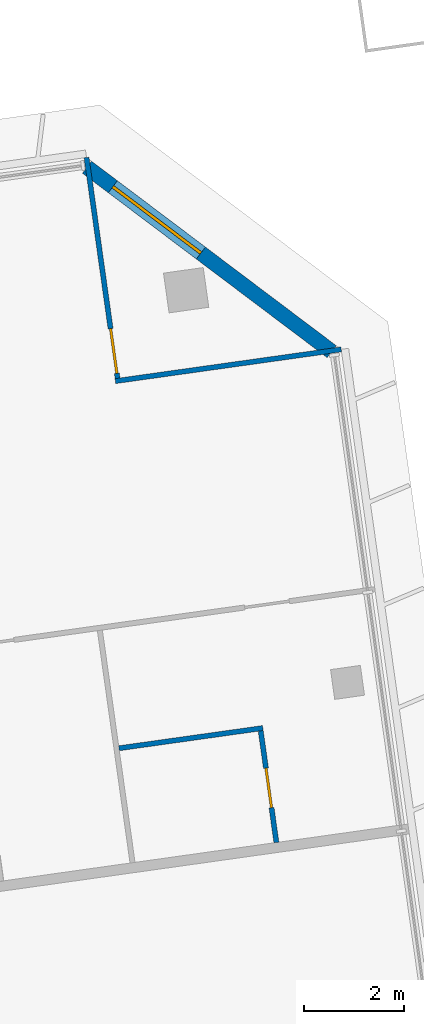
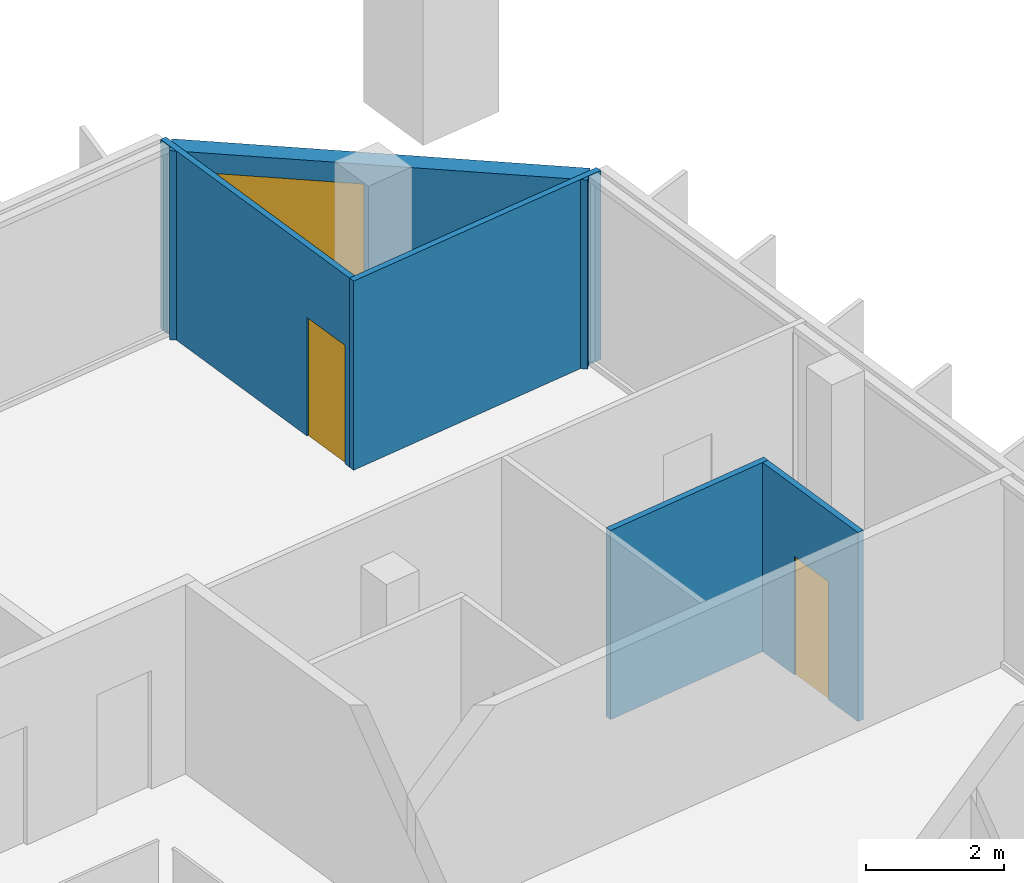
# One storey, part 23 of 26: 5 walls, 2 doors, 1 window, 3 openings.
"""IFC4 building model written with IfcOpenShell, lengths in metres."""

from ifc_helpers import new_model, si_unit, direction, frame, frame_2d, origin, place, context, subcontext, project, spatial, rectangle, extrude, material, layer, layer_set, type_object, element, fill, save


model = new_model("IFC4")

# Units and contexts
model_context = context("Model", 3, precision=1e-05, world=origin(), true_north=direction((0.0, 1.0)))
body_context = subcontext(model_context, "Body", "Model", "MODEL_VIEW")
ifc_project = project(units=[si_unit("LENGTHUNIT", "METRE"), si_unit("AREAUNIT", "SQUARE_METRE"), si_unit("VOLUMEUNIT", "CUBIC_METRE"), si_unit("PLANEANGLEUNIT", "RADIAN"), si_unit("MASSUNIT", "GRAM", prefix="KILO")], contexts=[model_context])

# Site, building, storey
site_placement = place(None, origin())
site = spatial("IfcSite", under=ifc_project, at=site_placement, CompositionType="ELEMENT")
building_placement = place(site_placement, origin())
building = spatial("IfcBuilding", under=site, at=building_placement, Name="Mirante Cascada Hotel Towers", CompositionType="ELEMENT")
storey_placement = place(building_placement, frame((0.0, 0.0, 168.8)))
storey = spatial("IfcBuildingStorey", under=building, at=storey_placement, Name="L39", CompositionType="ELEMENT", Elevation=168.8)

# Walls
ifc_material_1 = material(Name="Plasterboard on metal studs")
ifc_layer_1 = layer(ifc_material_1, 0.1)
ifc_layer_set_1 = layer_set([ifc_layer_1], Name="Partition 100")
wall_type_1 = type_object("IfcWallType", Name="Partition 100", PredefinedType="PARTITIONING", material=ifc_layer_set_1)
wall_1_placement = place(storey_placement, frame((88.8055, 13.569, 0.0), z_axis=(0.0, 0.0, 1.0), x_axis=(-0.9902683, -0.1391714, 0.0)))
element("IfcWall", 1, at=wall_1_placement, inside=storey, type_object=wall_type_1, Name="Wall 2-L39-13", PredefinedType="PARTITIONING", context=body_context, shape_type="SweptSolid", body=[
    extrude(rectangle(XDim=2.9, YDim=0.1, at=frame_2d((1.45, 0.0))), origin(), (0.0, 0.0, 1.0), 3.35),
])
wall_2_placement = place(storey_placement, frame((90.3689, 21.1268, 0.0), z_axis=(0.0, 0.0, 1.0), x_axis=(-0.9902691, -0.1391656, 0.0)))
element("IfcWall", 2, at=wall_2_placement, inside=storey, type_object=wall_type_1, Name="Wall 2-L39-23", PredefinedType="PARTITIONING", context=body_context, shape_type="SweptSolid", body=[
    extrude(rectangle(XDim=4.55, YDim=0.1, at=frame_2d((2.275, 0.0))), origin(), (0.0, 0.0, 1.0), 3.35),
])

# Wall, opening, door
wall_3_placement = place(storey_placement, frame((85.2864, 24.9567, 0.0), z_axis=(0.0, 0.0, 1.0), x_axis=(0.1391684, -0.9902687, 0.0)))
wall_3 = element("IfcWall", 3, at=wall_3_placement, inside=storey, type_object=wall_type_1, Name="Wall 2-L39-49", PredefinedType="PARTITIONING", context=body_context, shape_type="SweptSolid", body=[
    extrude(rectangle(XDim=4.45, YDim=0.1, at=frame_2d((2.225, 0.0))), origin(), (0.0, 0.0, 1.0), 3.35),
])
opening_1_placement = place(wall_3_placement, frame((3.45, 0.0, 0.0)))
opening_1 = element("IfcOpeningElement", 4, at=opening_1_placement, cuts=wall_3, Name="Opening D2-L39-33", PredefinedType="OPENING", context=body_context, shape_type="SweptSolid", body=[
    extrude(rectangle(XDim=0.9, YDim=2.1, at=frame_2d((0.45, 1.05))), frame((0.0, 0.05, 0.0), z_axis=(0.0, -1.0, 0.0), x_axis=(1.0, 0.0, 0.0)), (0.0, 0.0, 1.0), 0.1),
])
ifc_material_2 = material(Name="Timber door leaf", Category="wood")
door_type_1 = type_object("IfcDoorType", Name="Room door DG3 900x2100", OperationType="SINGLE_SWING_LEFT", PredefinedType="DOOR", material=ifc_material_2)
door_1_placement = place(opening_1_placement, frame((0.9, 0.0, 0.0), z_axis=(0.0, 0.0, 1.0), x_axis=(-1.0, 0.0, 0.0)))
door_1 = element("IfcDoor", 5, at=door_1_placement, inside=storey, type_object=door_type_1, Name="Door D2-L39-33", OperationType="SINGLE_SWING_RIGHT", OverallHeight=2.1, OverallWidth=0.9, PredefinedType="DOOR", context=body_context, shape_type="SweptSolid", body=[
    extrude(rectangle(XDim=0.9, YDim=2.1, at=frame_2d((0.45, 1.05))), frame((0.0, 0.025, 0.0), z_axis=(0.0, -1.0, 0.0), x_axis=(1.0, 0.0, 0.0)), (0.0, 0.0, 1.0), 0.05),
])
fill(opening_1, door_1)

wall_4_placement = place(storey_placement, frame((89.0761, 11.2844, 0.0), z_axis=(0.0, 0.0, 1.0), x_axis=(-0.1391561, 0.9902705, 0.0)))
wall_4 = element("IfcWall", 6, at=wall_4_placement, inside=storey, type_object=wall_type_1, Name="Wall 2-L39-50", PredefinedType="PARTITIONING", context=body_context, shape_type="SweptSolid", body=[
    extrude(rectangle(XDim=2.25, YDim=0.1, at=frame_2d((1.125, 0.0))), origin(), (0.0, 0.0, 1.0), 3.35),
])
opening_2_placement = place(wall_4_placement, frame((0.7, 0.0, 0.0)))
opening_2 = element("IfcOpeningElement", 7, at=opening_2_placement, cuts=wall_4, Name="Opening D2-L39-34", PredefinedType="OPENING", context=body_context, shape_type="SweptSolid", body=[
    extrude(rectangle(XDim=0.8, YDim=2.1, at=frame_2d((0.4, 1.05))), frame((0.0, 0.05, 0.0), z_axis=(0.0, -1.0, 0.0), x_axis=(1.0, 0.0, 0.0)), (0.0, 0.0, 1.0), 0.1),
])
ifc_material_3 = material(Name="Timber door leaf", Category="wood")
door_type_2 = type_object("IfcDoorType", Name="Bathroom door DG4 800x2100", OperationType="SINGLE_SWING_LEFT", PredefinedType="DOOR", material=ifc_material_3)
door_2_placement = place(opening_2_placement, origin())
door_2 = element("IfcDoor", 8, at=door_2_placement, inside=storey, type_object=door_type_2, Name="Door D2-L39-34", OperationType="SINGLE_SWING_LEFT", OverallHeight=2.1, OverallWidth=0.8, PredefinedType="DOOR", context=body_context, shape_type="SweptSolid", body=[
    extrude(rectangle(XDim=0.8, YDim=2.1, at=frame_2d((0.4, 1.05))), frame((0.0, 0.025, 0.0), z_axis=(0.0, -1.0, 0.0), x_axis=(1.0, 0.0, 0.0)), (0.0, 0.0, 1.0), 0.05),
])
fill(opening_2, door_2)

# Wall, opening, window
ifc_material_4 = material(Name="Precast concrete C40/50", Category="concrete")
ifc_layer_2 = layer(ifc_material_4, 0.3)
ifc_layer_set_2 = layer_set([ifc_layer_2], Name="Precast concrete C40/50 cladding wall 300")
wall_type_2 = type_object("IfcWallType", Name="Precast concrete C40/50 cladding wall 300", PredefinedType="STANDARD", material=ifc_layer_set_2)
wall_5_placement = place(storey_placement, frame((90.1795, 21.0817, 0.0), z_axis=(0.0, 0.0, 1.0), x_axis=(-0.7986362, 0.6018141, 0.0)))
wall_5 = element("IfcWall", 9, at=wall_5_placement, inside=storey, type_object=wall_type_2, Name="Corner cladding wall T2 L39 outer front", PredefinedType="STANDARD", context=body_context, shape_type="SweptSolid", body=[
    extrude(rectangle(XDim=6.1157, YDim=0.3, at=frame_2d((3.0578, 0.0))), origin(), (0.0, 0.0, 1.0), 3.35),
])
opening_3_placement = place(wall_5_placement, frame((3.2692, 0.0, 0.6)))
opening_3 = element("IfcOpeningElement", 10, at=opening_3_placement, cuts=wall_5, Name="Opening W2-39-02", PredefinedType="OPENING", context=body_context, shape_type="SweptSolid", body=[
    extrude(rectangle(XDim=2.2, YDim=2.4, at=frame_2d((1.1, 1.2))), frame((0.0, 0.15, 0.0), z_axis=(0.0, -1.0, 0.0), x_axis=(1.0, 0.0, 0.0)), (0.0, 0.0, 1.0), 0.3),
])
ifc_material_5 = material(Name="Aluminium frame with clear double glazing", Category="aluminium")
window_type = type_object("IfcWindowType", Name="Corner suite window 2200x2400", PartitioningType="DOUBLE_PANEL_VERTICAL", PredefinedType="WINDOW", material=ifc_material_5)
window_placement = place(opening_3_placement, origin())
window = element("IfcWindow", 11, at=window_placement, inside=storey, type_object=window_type, Name="Window W2-39-02", OverallHeight=2.4, OverallWidth=2.2, PartitioningType="SINGLE_PANEL", PredefinedType="WINDOW", context=body_context, shape_type="SweptSolid", body=[
    extrude(rectangle(XDim=2.2, YDim=2.4, at=frame_2d((1.1, 1.2))), frame((0.0, 0.03, 0.0), z_axis=(0.0, -1.0, 0.0), x_axis=(1.0, 0.0, 0.0)), (0.0, 0.0, 1.0), 0.06),
])
fill(opening_3, window)

save(model, "model.ifc")
